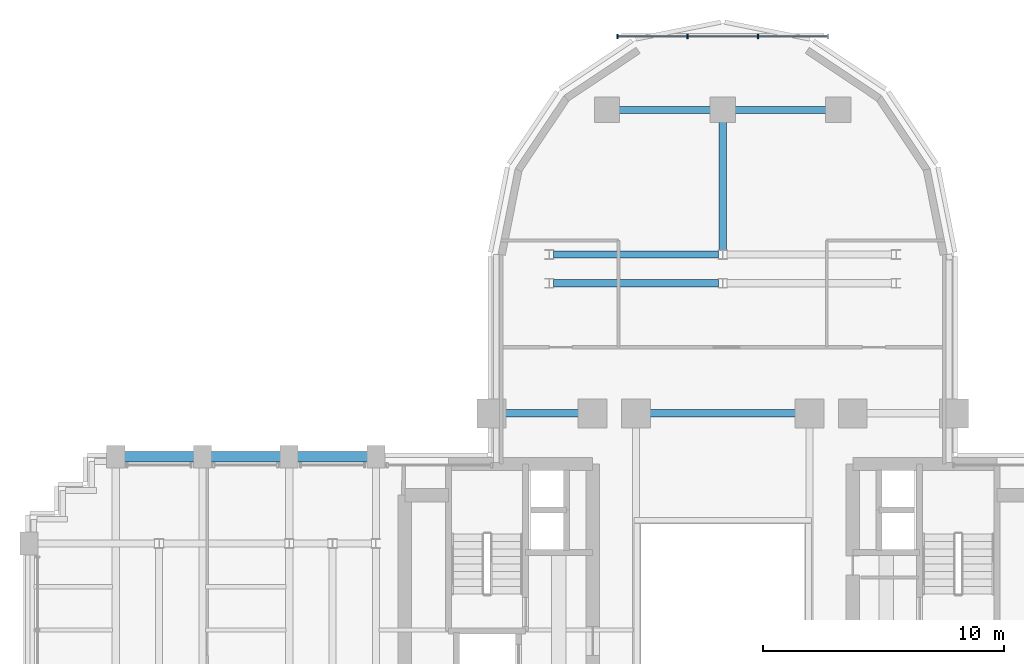
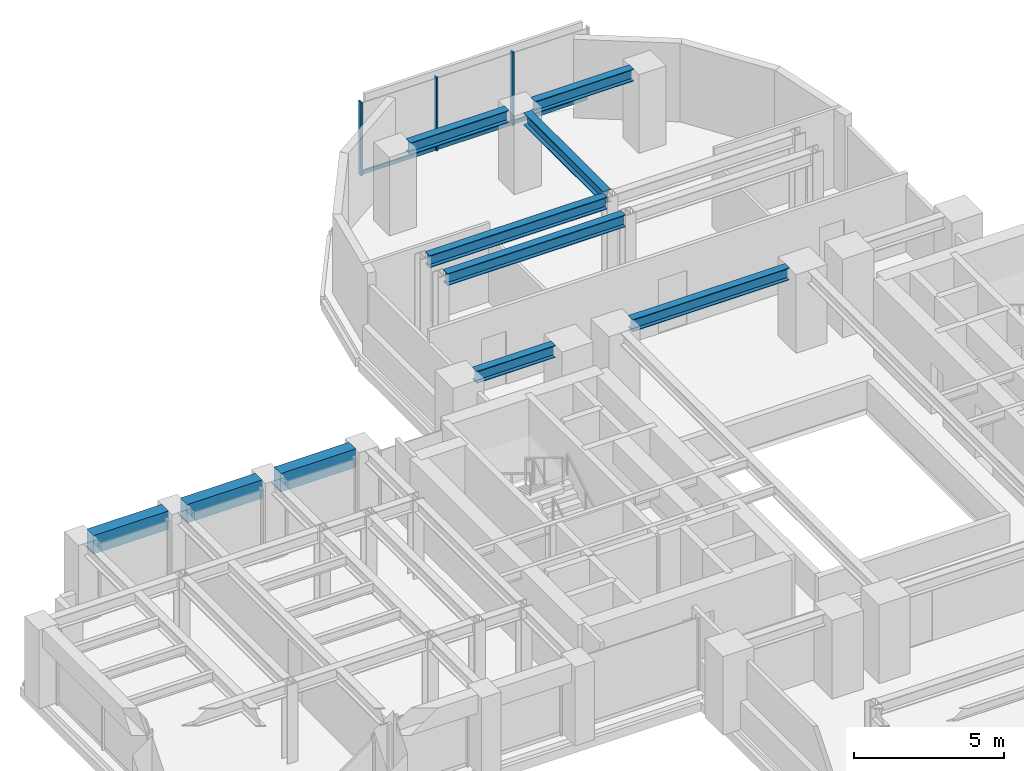
# One storey, part 7 of 16: 10 beams, 6 members, 1 element without a shape of its own.
"""IFC4 building model written with IfcOpenShell, lengths in metres."""

from ifc_helpers import new_model, si_unit, direction, frame, origin, origin_2d, place, context, subcontext, project, spatial, rectangle, i_section, extrude, source, transform, mapped, material, material_profile, profile_set, type_object, element, aggregate, save


model = new_model("IFC4")

# Units and contexts
model_context = context("Model", 3, precision=1e-05, world=origin(), true_north=direction((0.0, 1.0)))
body_context = subcontext(model_context, "Body", "Model", "MODEL_VIEW")
ifc_project = project(units=[si_unit("LENGTHUNIT", "METRE"), si_unit("AREAUNIT", "SQUARE_METRE"), si_unit("VOLUMEUNIT", "CUBIC_METRE"), si_unit("PLANEANGLEUNIT", "RADIAN"), si_unit("MASSUNIT", "GRAM", prefix="KILO")], contexts=[model_context])

# Site, building, storey
site_placement = place(None, origin())
site = spatial("IfcSite", under=ifc_project, at=site_placement, CompositionType="ELEMENT")
building_placement = place(site_placement, origin())
building = spatial("IfcBuilding", under=site, at=building_placement, Name="Keilestroom Media Tower", CompositionType="ELEMENT")
storey_placement = place(building_placement, frame((0.0, 0.0, 68.0)))
storey = spatial("IfcBuildingStorey", under=building, at=storey_placement, Name="L17", CompositionType="ELEMENT", Elevation=68.0)

# Beams
ifc_material_1 = material(Name="Precast concrete C40/50", Category="concrete")
ifc_material_profile_1 = material_profile(ifc_material_1, rectangle(XDim=0.449951171875, YDim=0.75, at=origin_2d()), Name="PC 450x750")
ifc_profile_set_1 = profile_set([ifc_material_profile_1], Name="Precast concrete C40/50")
beam_type_1 = type_object("IfcBeamType", Name="Perimeter-Spandrel-Beam-PC-450x750", PredefinedType="SPANDREL", material=ifc_profile_set_1)
shared_shape_1 = source(origin(), body_context, "Body", "SweptSolid", [
    extrude(rectangle(XDim=0.449951171875, YDim=0.75, at=origin_2d()), origin(), (0.0, 0.0, 1.0), 2.889892578125),
])
beam_1_placement = place(storey_placement, frame((-24.844970703125, 7.199951171875, 2.824951171875), z_axis=(1.0, 0.0, 0.0), x_axis=(0.0, 1.0, 0.0)))
element("IfcBeam", 1, at=beam_1_placement, inside=storey, type_object=beam_type_1, Name="L17 Beam SPB-1 BM-L17-EW-034", PredefinedType="SPANDREL", context=body_context, shape_type="MappedRepresentation", body=[
    mapped(shared_shape_1, transform((0.0, 0.0, 0.0), x_axis=(1.0, 0.0, 0.0), y_axis=(0.0, 1.0, 0.0), z_axis=(0.0, 0.0, 1.0), scale=1.0)),
])
shared_shape_2 = source(origin(), body_context, "Body", "SweptSolid", [
    extrude(rectangle(XDim=0.449951171875, YDim=0.75, at=origin_2d()), origin(), (0.0, 0.0, 1.0), 2.89013671875),
])
for number, where, z_axis, x_axis, name in (
    (2, (-21.2451171875, 7.199951171875, 2.824951171875), (1.0, 0.0, 0.0), (0.0, 1.0, 0.0), "L17 Beam SPB-1 BM-L17-EW-035"),
    (3, (-17.64501953125, 7.199951171875, 2.824951171875), (1.0, 0.0, 0.0), (0.0, 1.0, 0.0), "L17 Beam SPB-1 BM-L17-EW-036"),
):
    element("IfcBeam", number, at=place(storey_placement, frame(where, z_axis=z_axis, x_axis=x_axis)), inside=storey, type_object=beam_type_1, Name=name, PredefinedType="SPANDREL", context=body_context, shape_type="MappedRepresentation", body=[
        mapped(shared_shape_2, transform((0.0, 0.0, 0.0), x_axis=(1.0, 0.0, 0.0), y_axis=(0.0, 1.0, 0.0), z_axis=(0.0, 0.0, 1.0), scale=1.0)),
    ])
ifc_material_2 = material(Name="Steel S355", Category="steel")
ifc_material_profile_2 = material_profile(ifc_material_2, i_section(OverallWidth=0.300048828125, OverallDepth=0.5, WebThickness=0.012451171875, FlangeThickness=0.028076171875, at=origin_2d()), Name="HEB 500")
ifc_profile_set_2 = profile_set([ifc_material_profile_2], Name="Steel S355")
beam_type_2 = type_object("IfcBeamType", Name="Primary-Structural-Girder-HEB-500", PredefinedType="BEAM", material=ifc_profile_set_2)
shared_shape_3 = source(origin(), body_context, "Body", "SweptSolid", [
    extrude(i_section(OverallWidth=0.300048828125, OverallDepth=0.5, WebThickness=0.012451171875, FlangeThickness=0.028076171875, at=origin_2d()), origin(), (0.0, 0.0, 1.0), 5.3115234375),
])
beam_2_placement = place(storey_placement, frame((0.0, 15.783447265625, 2.949951171875), z_axis=(0.0, 1.0, 0.0), x_axis=(-1.0, 0.0, 0.0)))
element("IfcBeam", 4, at=beam_2_placement, inside=storey, type_object=beam_type_2, Name="L17 Beam BG-6 BM-L17-NS-070", PredefinedType="BEAM", context=body_context, shape_type="MappedRepresentation", body=[
    mapped(shared_shape_3, transform((0.0, 0.0, 0.0), x_axis=(1.0, 0.0, 0.0), y_axis=(0.0, 1.0, 0.0), z_axis=(0.0, 0.0, 1.0), scale=1.0)),
])
ifc_material_profile_3 = material_profile(ifc_material_2, i_section(OverallWidth=0.300048828125, OverallDepth=0.489990234375, WebThickness=0.011962890625, FlangeThickness=0.02294921875, at=origin_2d()), Name="HEA 500")
ifc_profile_set_3 = profile_set([ifc_material_profile_3], Name="Steel S355")
beam_type_3 = type_object("IfcBeamType", Name="Primary-Structural-Girder-HEA-500", PredefinedType="BEAM", material=ifc_profile_set_3)
shared_shape_4 = source(origin(), body_context, "Body", "SweptSolid", [
    extrude(i_section(OverallWidth=0.300048828125, OverallDepth=0.489990234375, WebThickness=0.011962890625, FlangeThickness=0.02294921875, at=origin_2d()), origin(), (0.0, 0.0, 1.0), 3.7900390625),
])
for number, where, z_axis, x_axis, name in (
    (5, (-4.294921875, 21.60009765625, 2.955078125), (1.0, 0.0, 0.0), (0.0, 1.0, 0.0), "L17 Beam BG-10 BM-L17-EW-049"),
    (6, (0.5048828125, 21.60009765625, 2.955078125), (1.0, 0.0, 0.0), (0.0, 1.0, 0.0), "L17 Beam BG-10 BM-L17-EW-050"),
):
    element("IfcBeam", number, at=place(storey_placement, frame(where, z_axis=z_axis, x_axis=x_axis)), inside=storey, type_object=beam_type_3, Name=name, PredefinedType="BEAM", context=body_context, shape_type="MappedRepresentation", body=[
        mapped(shared_shape_4, transform((0.0, 0.0, 0.0), x_axis=(1.0, 0.0, 0.0), y_axis=(0.0, 1.0, 0.0), z_axis=(0.0, 0.0, 1.0), scale=1.0)),
    ])
shared_shape_5 = source(origin(), body_context, "Body", "SweptSolid", [
    extrude(i_section(OverallWidth=0.300048828125, OverallDepth=0.489990234375, WebThickness=0.011962890625, FlangeThickness=0.02294921875, at=origin_2d()), origin(), (0.0, 0.0, 1.0), 6.836181640625),
])
for number, where, z_axis, x_axis, name in (
    (7, (-7.01806640625, 14.39990234375, 2.955078125), (1.0, 0.0, 0.0), (0.0, 1.0, 0.0), "L17 Beam BG-10 BM-L17-EW-045"),
    (8, (-7.01806640625, 15.60009765625, 2.955078125), (1.0, 0.0, 0.0), (0.0, 1.0, 0.0), "L17 Beam BG-10 BM-L17-EW-047"),
):
    element("IfcBeam", number, at=place(storey_placement, frame(where, z_axis=z_axis, x_axis=x_axis)), inside=storey, type_object=beam_type_3, Name=name, PredefinedType="BEAM", context=body_context, shape_type="MappedRepresentation", body=[
        mapped(shared_shape_5, transform((0.0, 0.0, 0.0), x_axis=(1.0, 0.0, 0.0), y_axis=(0.0, 1.0, 0.0), z_axis=(0.0, 0.0, 1.0), scale=1.0)),
    ])
shared_shape_6 = source(origin(), body_context, "Body", "SweptSolid", [
    extrude(i_section(OverallWidth=0.300048828125, OverallDepth=0.489990234375, WebThickness=0.011962890625, FlangeThickness=0.02294921875, at=origin_2d()), origin(), (0.0, 0.0, 1.0), 3.0400390625),
])
beam_3_placement = place(storey_placement, frame((-9.02001953125, 9.0, 2.955078125), z_axis=(1.0, 0.0, 0.0), x_axis=(0.0, 1.0, 0.0)))
element("IfcBeam", 9, at=beam_3_placement, inside=storey, type_object=beam_type_3, Name="L17 Beam BG-10 BM-L17-EW-040", PredefinedType="BEAM", context=body_context, shape_type="MappedRepresentation", body=[
    mapped(shared_shape_6, transform((0.0, 0.0, 0.0), x_axis=(1.0, 0.0, 0.0), y_axis=(0.0, 1.0, 0.0), z_axis=(0.0, 0.0, 1.0), scale=1.0)),
])
shared_shape_7 = source(origin(), body_context, "Body", "SweptSolid", [
    extrude(i_section(OverallWidth=0.300048828125, OverallDepth=0.489990234375, WebThickness=0.011962890625, FlangeThickness=0.02294921875, at=origin_2d()), origin(), (0.0, 0.0, 1.0), 6.0400390625),
])
beam_4_placement = place(storey_placement, frame((-3.02001953125, 9.0, 2.955078125), z_axis=(1.0, 0.0, 0.0), x_axis=(0.0, 1.0, 0.0)))
element("IfcBeam", 10, at=beam_4_placement, inside=storey, type_object=beam_type_3, Name="L17 Beam BG-10 BM-L17-EW-042", PredefinedType="BEAM", context=body_context, shape_type="MappedRepresentation", body=[
    mapped(shared_shape_7, transform((0.0, 0.0, 0.0), x_axis=(1.0, 0.0, 0.0), y_axis=(0.0, 1.0, 0.0), z_axis=(0.0, 0.0, 1.0), scale=1.0)),
])

# Curtain wall, members
ifc_material_3 = material(Name="Anodised Aluminium Alloy", Category="aluminium")
curtain_wall_type = type_object("IfcCurtainWallType", Name="Unitised-Curtain-Wall-CW-6", PredefinedType="NOTDEFINED", material=ifc_material_3)
curtain_wall_placement = place(storey_placement, origin())
curtain_wall = element("IfcCurtainWall", 11, at=curtain_wall_placement, inside=storey, type_object=curtain_wall_type, Name="L17 Curtain Wall CW-6 CW-L17-LN-1", PredefinedType="NOTDEFINED")
ifc_material_profile_4 = material_profile(ifc_material_3, rectangle(XDim=0.06494140625, YDim=0.179931640625, at=origin_2d()), Name="ALU MULLION 65x180")
ifc_profile_set_4 = profile_set([ifc_material_profile_4], Name="Anodised Aluminium Alloy")
member_type_1 = type_object("IfcMemberType", Name="Curtain-Wall-Mullion-CW-6", PredefinedType="MULLION", material=ifc_profile_set_4)
shared_shape_8 = source(origin(), body_context, "Body", "SweptSolid", [
    extrude(rectangle(XDim=0.06494140625, YDim=0.179931640625, at=origin_2d()), origin(), (0.0, 0.0, 1.0), 2.97998046875),
])
member_1_placement = place(storey_placement, frame((-4.367431640625, 24.64990234375, 0.0), z_axis=(0.0, 0.0, 1.0), x_axis=(1.0, 0.0, 0.0)))
member_1 = element("IfcMember", 12, at=member_1_placement, type_object=member_type_1, Name="CW-6 Mullion 00", PredefinedType="MULLION", context=body_context, shape_type="MappedRepresentation", body=[
    mapped(shared_shape_8, transform((0.0, 0.0, 0.0), x_axis=(1.0, 0.0, 0.0), y_axis=(0.0, 1.0, 0.0), z_axis=(0.0, 0.0, 1.0), scale=1.0)),
])
member_2_placement = place(storey_placement, frame((-1.466796875, 24.64990234375, 0.0), z_axis=(0.0, 0.0, 1.0), x_axis=(1.0, 0.0, 0.0)))
member_2 = element("IfcMember", 13, at=member_2_placement, type_object=member_type_1, Name="CW-6 Mullion 01", PredefinedType="MULLION", context=body_context, shape_type="MappedRepresentation", body=[
    mapped(shared_shape_8, transform((0.0, 0.0, 0.0), x_axis=(1.0, 0.0, 0.0), y_axis=(0.0, 1.0, 0.0), z_axis=(0.0, 0.0, 1.0), scale=1.0)),
])
member_3_placement = place(storey_placement, frame((1.466796875, 24.64990234375, 0.0), z_axis=(0.0, 0.0, 1.0), x_axis=(1.0, 0.0, 0.0)))
member_3 = element("IfcMember", 14, at=member_3_placement, type_object=member_type_1, Name="CW-6 Mullion 02", PredefinedType="MULLION", context=body_context, shape_type="MappedRepresentation", body=[
    mapped(shared_shape_8, transform((0.0, 0.0, 0.0), x_axis=(1.0, 0.0, 0.0), y_axis=(0.0, 1.0, 0.0), z_axis=(0.0, 0.0, 1.0), scale=1.0)),
])
ifc_material_profile_5 = material_profile(ifc_material_3, rectangle(XDim=0.06494140625, YDim=0.14990234375, at=origin_2d()), Name="ALU TRANSOM 65x150")
ifc_profile_set_5 = profile_set([ifc_material_profile_5], Name="Anodised Aluminium Alloy")
member_type_2 = type_object("IfcMemberType", Name="Curtain-Wall-Transom-CW-6", PredefinedType="USERDEFINED", material=ifc_profile_set_5)
shared_shape_9 = source(origin(), body_context, "Body", "SweptSolid", [
    extrude(rectangle(XDim=0.06494140625, YDim=0.14990234375, at=origin_2d()), origin(), (0.0, 0.0, 1.0), 2.839599609375),
])
member_4_placement = place(storey_placement, frame((-4.3369140625, 24.64990234375, 0.074951171875), z_axis=(1.0, 0.0, 0.0), x_axis=(0.0, 1.0, 0.0)))
member_4 = element("IfcMember", 15, at=member_4_placement, type_object=member_type_2, Name="CW-6 Transom 00.1", ObjectType="TRANSOM", PredefinedType="USERDEFINED", context=body_context, shape_type="MappedRepresentation", body=[
    mapped(shared_shape_9, transform((0.0, 0.0, 0.0), x_axis=(1.0, 0.0, 0.0), y_axis=(0.0, 1.0, 0.0), z_axis=(0.0, 0.0, 1.0), scale=1.0)),
])
member_5_placement = place(storey_placement, frame((1.497314453125, 24.64990234375, 0.074951171875), z_axis=(1.0, 0.0, 0.0), x_axis=(0.0, 1.0, 0.0)))
member_5 = element("IfcMember", 16, at=member_5_placement, type_object=member_type_2, Name="CW-6 Transom 02.1", ObjectType="TRANSOM", PredefinedType="USERDEFINED", context=body_context, shape_type="MappedRepresentation", body=[
    mapped(shared_shape_9, transform((0.0, 0.0, 0.0), x_axis=(1.0, 0.0, 0.0), y_axis=(0.0, 1.0, 0.0), z_axis=(0.0, 0.0, 1.0), scale=1.0)),
])
shared_shape_10 = source(origin(), body_context, "Body", "SweptSolid", [
    extrude(rectangle(XDim=0.06494140625, YDim=0.14990234375, at=origin_2d()), origin(), (0.0, 0.0, 1.0), 2.87255859375),
])
member_6_placement = place(storey_placement, frame((-1.436279296875, 24.64990234375, 0.074951171875), z_axis=(1.0, 0.0, 0.0), x_axis=(0.0, 1.0, 0.0)))
member_6 = element("IfcMember", 17, at=member_6_placement, type_object=member_type_2, Name="CW-6 Transom 01.1", ObjectType="TRANSOM", PredefinedType="USERDEFINED", context=body_context, shape_type="MappedRepresentation", body=[
    mapped(shared_shape_10, transform((0.0, 0.0, 0.0), x_axis=(1.0, 0.0, 0.0), y_axis=(0.0, 1.0, 0.0), z_axis=(0.0, 0.0, 1.0), scale=1.0)),
])
aggregate(curtain_wall, [member_1, member_2, member_3, member_4, member_6, member_5])

save(model, "model.ifc")
